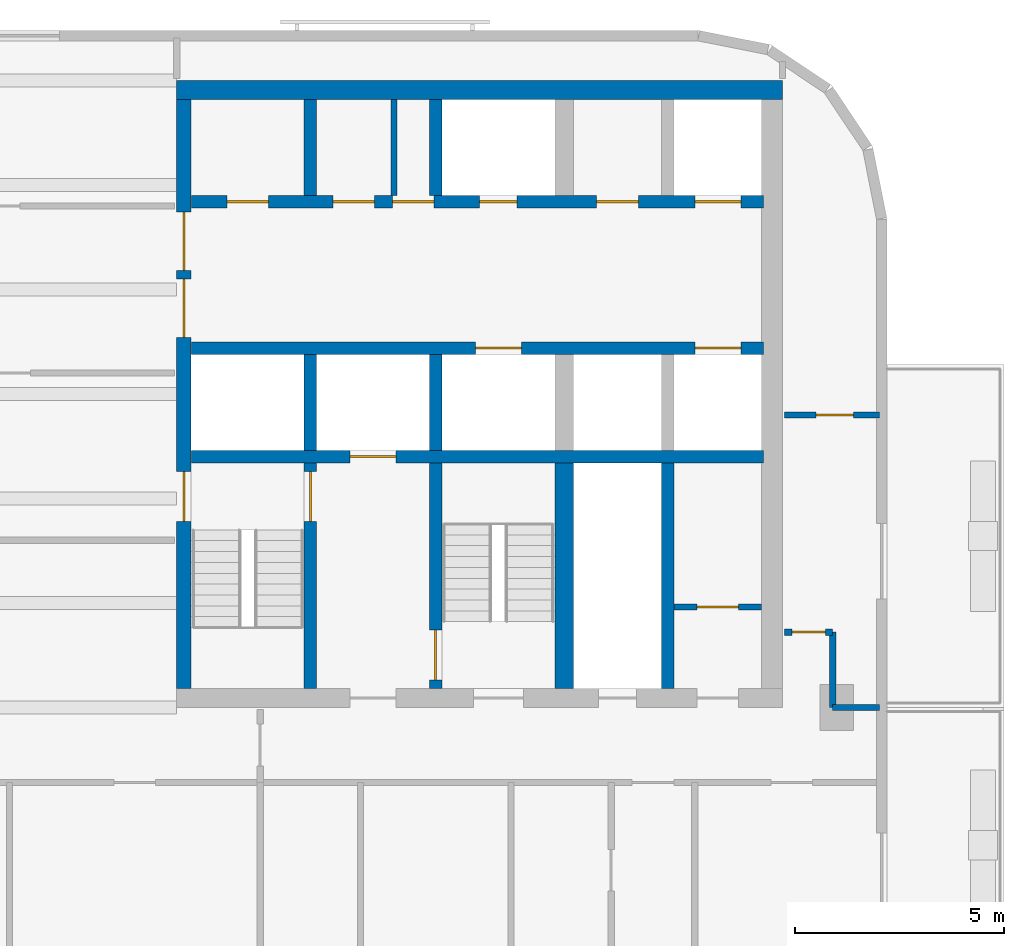
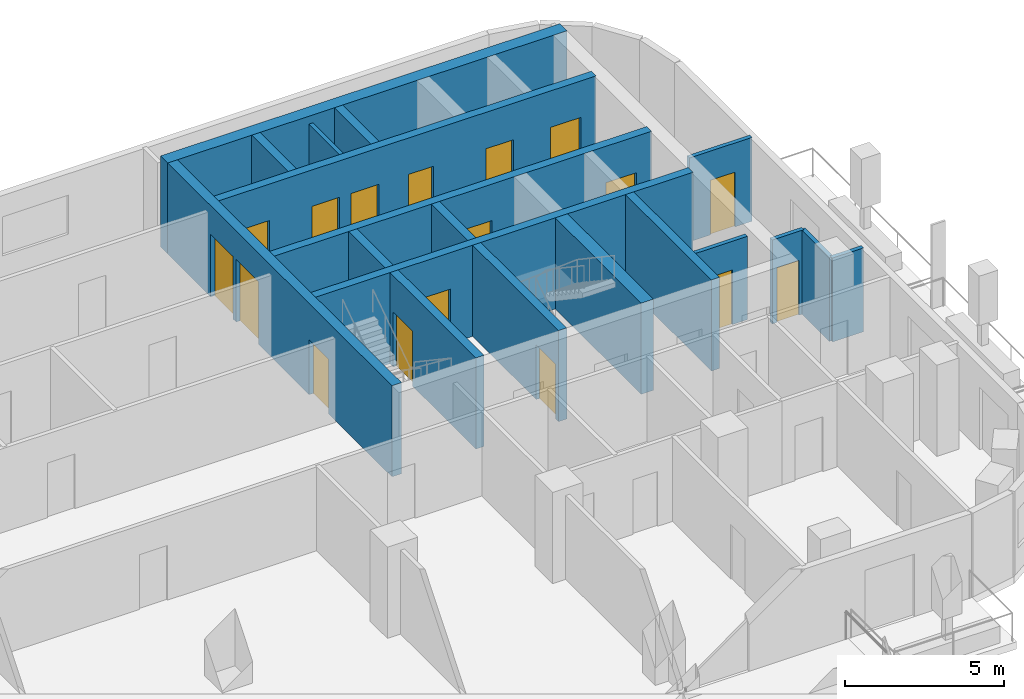
# One storey, part 6 of 11: 19 walls, 17 doors, 17 openings.
"""IFC4 building model written with IfcOpenShell, lengths in metres."""

from ifc_helpers import new_model, si_unit, direction, frame, frame_2d, origin, place, context, subcontext, project, spatial, rectangle, extrude, material, layer, layer_set, type_object, element, fill, save


model = new_model("IFC4")

# Units and contexts
model_context = context("Model", 3, precision=1e-05, world=origin(), true_north=direction((0.0, 1.0)))
body_context = subcontext(model_context, "Body", "Model", "MODEL_VIEW")
ifc_project = project(units=[si_unit("LENGTHUNIT", "METRE"), si_unit("AREAUNIT", "SQUARE_METRE"), si_unit("VOLUMEUNIT", "CUBIC_METRE"), si_unit("PLANEANGLEUNIT", "RADIAN"), si_unit("MASSUNIT", "GRAM", prefix="KILO")], contexts=[model_context])

# Site, building, storey
site_placement = place(None, origin())
site = spatial("IfcSite", under=ifc_project, at=site_placement, CompositionType="ELEMENT")
building_placement = place(site_placement, origin())
building = spatial("IfcBuilding", under=site, at=building_placement, Name="Torana Hotel and Residences", CompositionType="ELEMENT")
storey_placement = place(building_placement, frame((0.0, 0.0, 218.60009765625)))
storey = spatial("IfcBuildingStorey", under=building, at=storey_placement, Name="L57", CompositionType="ELEMENT", Elevation=218.60009765625)

# Wall, openings, doors
ifc_material_1 = material(Name="Concrete C70/85", Category="concrete")
ifc_layer_1 = layer(ifc_material_1, 0.300048828125)
ifc_layer_set_1 = layer_set([ifc_layer_1], Name="CORE WALL 300 C70/85")
wall_type_1 = type_object("IfcWallType", Name="CORE WALL 300 C70/85", PredefinedType="SHEAR", material=ifc_layer_set_1)
wall_1_placement = place(storey_placement, frame((10.35009765625, -2.89990234375, 0.0), z_axis=(0.0, 0.0, 1.0), x_axis=(1.0, 0.0, 0.0)))
wall_1 = element("IfcWall", 1, at=wall_1_placement, inside=storey, type_object=wall_type_1, Name="Core wall E row-N", PredefinedType="SHEAR", context=body_context, shape_type="SweptSolid", body=[
    extrude(rectangle(XDim=13.699951171875, YDim=0.300048828125, at=frame_2d((6.85009765625, 0.0))), origin(), (0.0, 0.0, 1.0), 3.5),
])
opening_1_placement = place(wall_1_placement, frame((12.050048828125, 0.0, 0.0)))
opening_1 = element("IfcOpeningElement", 2, at=opening_1_placement, cuts=wall_1, Name="Opening LD", PredefinedType="OPENING", context=body_context, shape_type="SweptSolid", body=[
    extrude(rectangle(XDim=1.10009765625, YDim=2.10009765625, at=frame_2d((0.550048828125, 1.050048828125))), frame((0.0, 0.159912109375, 0.0), z_axis=(0.0, -1.0, 0.0), x_axis=(1.0, 0.0, 0.0)), (0.0, 0.0, 1.0), 0.320068359375),
])
opening_2_placement = place(wall_1_placement, frame((6.89990234375, 0.0, 0.0)))
opening_2 = element("IfcOpeningElement", 3, at=opening_2_placement, cuts=wall_1, Name="Opening L57-22", PredefinedType="OPENING", context=body_context, shape_type="SweptSolid", body=[
    extrude(rectangle(XDim=0.89990234375, YDim=2.10009765625, at=frame_2d((0.449951171875, 1.050048828125))), frame((0.0, 0.159912109375, 0.0), z_axis=(0.0, -1.0, 0.0), x_axis=(1.0, 0.0, 0.0)), (0.0, 0.0, 1.0), 0.320068359375),
])
opening_3_placement = place(wall_1_placement, frame((0.85009765625, 0.0, 0.0)))
opening_3 = element("IfcOpeningElement", 4, at=opening_3_placement, cuts=wall_1, Name="Opening L57-23", PredefinedType="OPENING", context=body_context, shape_type="SweptSolid", body=[
    extrude(rectangle(XDim=1.0, YDim=2.10009765625, at=frame_2d((0.5, 1.050048828125))), frame((0.0, 0.159912109375, 0.0), z_axis=(0.0, -1.0, 0.0), x_axis=(1.0, 0.0, 0.0)), (0.0, 0.0, 1.0), 0.320068359375),
])
opening_4_placement = place(wall_1_placement, frame((3.387451171875, 0.0, 0.0)))
opening_4 = element("IfcOpeningElement", 5, at=opening_4_placement, cuts=wall_1, Name="Opening L57-24", PredefinedType="OPENING", context=body_context, shape_type="SweptSolid", body=[
    extrude(rectangle(XDim=1.0, YDim=2.10009765625, at=frame_2d((0.5, 1.050048828125))), frame((0.0, 0.159912109375, 0.0), z_axis=(0.0, -1.0, 0.0), x_axis=(1.0, 0.0, 0.0)), (0.0, 0.0, 1.0), 0.320068359375),
])
opening_5_placement = place(wall_1_placement, frame((4.8125, 0.0, 0.0)))
opening_5 = element("IfcOpeningElement", 6, at=opening_5_placement, cuts=wall_1, Name="Opening L57-25", PredefinedType="OPENING", context=body_context, shape_type="SweptSolid", body=[
    extrude(rectangle(XDim=1.0, YDim=2.10009765625, at=frame_2d((0.5, 1.050048828125))), frame((0.0, 0.159912109375, 0.0), z_axis=(0.0, -1.0, 0.0), x_axis=(1.0, 0.0, 0.0)), (0.0, 0.0, 1.0), 0.320068359375),
])
opening_6_placement = place(wall_1_placement, frame((9.699951171875, 0.0, 0.0)))
opening_6 = element("IfcOpeningElement", 7, at=opening_6_placement, cuts=wall_1, Name="Opening L57-26", PredefinedType="OPENING", context=body_context, shape_type="SweptSolid", body=[
    extrude(rectangle(XDim=1.0, YDim=2.10009765625, at=frame_2d((0.5, 1.050048828125))), frame((0.0, 0.159912109375, 0.0), z_axis=(0.0, -1.0, 0.0), x_axis=(1.0, 0.0, 0.0)), (0.0, 0.0, 1.0), 0.320068359375),
])
ifc_material_2 = material(Name="Steel S235", Category="steel")
door_type_1 = type_object("IfcDoorType", Name="CORE ROOM FIRE DOOR D14 1000x2100", OperationType="SINGLE_SWING_LEFT", PredefinedType="DOOR", material=ifc_material_2)
door_1_placement = place(opening_3_placement, origin())
door_1 = element("IfcDoor", 8, at=door_1_placement, inside=storey, type_object=door_type_1, Name="N0 door L57", OperationType="SINGLE_SWING_RIGHT", OverallHeight=2.10009765625, OverallWidth=1.0, PredefinedType="DOOR", context=body_context, shape_type="SweptSolid", body=[
    extrude(rectangle(XDim=1.0, YDim=2.10009765625, at=frame_2d((0.5, 1.050048828125))), frame((0.0, 0.02490234375, 0.0), z_axis=(0.0, -1.0, 0.0), x_axis=(1.0, 0.0, 0.0)), (0.0, 0.0, 1.0), 0.050048828125),
])
fill(opening_3, door_1)
door_2_placement = place(opening_4_placement, origin())
door_2 = element("IfcDoor", 9, at=door_2_placement, inside=storey, type_object=door_type_1, Name="N1A door L57", OperationType="SINGLE_SWING_RIGHT", OverallHeight=2.10009765625, OverallWidth=1.0, PredefinedType="DOOR", context=body_context, shape_type="SweptSolid", body=[
    extrude(rectangle(XDim=1.0, YDim=2.10009765625, at=frame_2d((0.5, 1.050048828125))), frame((0.0, 0.02490234375, 0.0), z_axis=(0.0, -1.0, 0.0), x_axis=(1.0, 0.0, 0.0)), (0.0, 0.0, 1.0), 0.050048828125),
])
fill(opening_4, door_2)
door_3_placement = place(opening_5_placement, origin())
door_3 = element("IfcDoor", 10, at=door_3_placement, inside=storey, type_object=door_type_1, Name="N1B door L57", OperationType="SINGLE_SWING_LEFT", OverallHeight=2.10009765625, OverallWidth=1.0, PredefinedType="DOOR", context=body_context, shape_type="SweptSolid", body=[
    extrude(rectangle(XDim=1.0, YDim=2.10009765625, at=frame_2d((0.5, 1.050048828125))), frame((0.0, 0.02490234375, 0.0), z_axis=(0.0, -1.0, 0.0), x_axis=(1.0, 0.0, 0.0)), (0.0, 0.0, 1.0), 0.050048828125),
])
fill(opening_5, door_3)
door_4_placement = place(opening_6_placement, origin())
door_4 = element("IfcDoor", 11, at=door_4_placement, inside=storey, type_object=door_type_1, Name="Freed-S2 door L57", OperationType="SINGLE_SWING_RIGHT", OverallHeight=2.10009765625, OverallWidth=1.0, PredefinedType="DOOR", context=body_context, shape_type="SweptSolid", body=[
    extrude(rectangle(XDim=1.0, YDim=2.10009765625, at=frame_2d((0.5, 1.050048828125))), frame((0.0, 0.02490234375, 0.0), z_axis=(0.0, -1.0, 0.0), x_axis=(1.0, 0.0, 0.0)), (0.0, 0.0, 1.0), 0.050048828125),
])
fill(opening_6, door_4)
ifc_material_3 = material(Name="Stainless steel 316", Category="steel")
door_type_2 = type_object("IfcDoorType", Name="LIFT LANDING DOOR LD 1100x2100", OperationType="DOUBLE_DOOR_SLIDING", PredefinedType="USERDEFINED", material=ifc_material_3)
door_5_placement = place(opening_1_placement, origin())
door_5 = element("IfcDoor", 12, at=door_5_placement, inside=storey, type_object=door_type_2, Name="Lift landing door M3 L57", ObjectType="LIFT LANDING DOOR", OperationType="DOUBLE_DOOR_SLIDING", OverallHeight=2.10009765625, OverallWidth=1.10009765625, PredefinedType="USERDEFINED", context=body_context, shape_type="SweptSolid", body=[
    extrude(rectangle(XDim=1.10009765625, YDim=2.10009765625, at=frame_2d((0.550048828125, 1.050048828125))), frame((0.0, 0.02490234375, 0.0), z_axis=(0.0, -1.0, 0.0), x_axis=(1.0, 0.0, 0.0)), (0.0, 0.0, 1.0), 0.050048828125),
])
fill(opening_1, door_5)
ifc_material_4 = material(Name="Steel S235", Category="steel")
door_type_3 = type_object("IfcDoorType", Name="RISER ACCESS DOOR D5 900x2100", OperationType="SINGLE_SWING_LEFT", PredefinedType="DOOR", material=ifc_material_4)
door_6_placement = place(opening_2_placement, origin())
door_6 = element("IfcDoor", 13, at=door_6_placement, inside=storey, type_object=door_type_3, Name="N2 door L57", OperationType="SINGLE_SWING_RIGHT", OverallHeight=2.10009765625, OverallWidth=0.89990234375, PredefinedType="DOOR", context=body_context, shape_type="SweptSolid", body=[
    extrude(rectangle(XDim=0.89990234375, YDim=2.10009765625, at=frame_2d((0.449951171875, 1.050048828125))), frame((0.0, 0.02490234375, 0.0), z_axis=(0.0, -1.0, 0.0), x_axis=(1.0, 0.0, 0.0)), (0.0, 0.0, 1.0), 0.050048828125),
])
fill(opening_2, door_6)

wall_2_placement = place(storey_placement, frame((10.35009765625, -6.39990234375, 0.0), z_axis=(0.0, 0.0, 1.0), x_axis=(1.0, 0.0, 0.0)))
wall_2 = element("IfcWall", 14, at=wall_2_placement, inside=storey, type_object=wall_type_1, Name="Core wall E row-S", PredefinedType="SHEAR", context=body_context, shape_type="SweptSolid", body=[
    extrude(rectangle(XDim=13.699951171875, YDim=0.300048828125, at=frame_2d((6.85009765625, 0.0))), origin(), (0.0, 0.0, 1.0), 3.5),
])
opening_7_placement = place(wall_2_placement, frame((12.050048828125, 0.0, 0.0)))
opening_7 = element("IfcOpeningElement", 15, at=opening_7_placement, cuts=wall_2, Name="Opening LD", PredefinedType="OPENING", context=body_context, shape_type="SweptSolid", body=[
    extrude(rectangle(XDim=1.10009765625, YDim=2.10009765625, at=frame_2d((0.550048828125, 1.050048828125))), frame((0.0, 0.159912109375, 0.0), z_axis=(0.0, -1.0, 0.0), x_axis=(1.0, 0.0, 0.0)), (0.0, 0.0, 1.0), 0.320068359375),
])
opening_8_placement = place(wall_2_placement, frame((6.800048828125, 0.0, 0.0)))
opening_8 = element("IfcOpeningElement", 16, at=opening_8_placement, cuts=wall_2, Name="Opening LD", PredefinedType="OPENING", context=body_context, shape_type="SweptSolid", body=[
    extrude(rectangle(XDim=1.10009765625, YDim=2.10009765625, at=frame_2d((0.550048828125, 1.050048828125))), frame((0.0, 0.159912109375, 0.0), z_axis=(0.0, -1.0, 0.0), x_axis=(1.0, 0.0, 0.0)), (0.0, 0.0, 1.0), 0.320068359375),
])
door_7_placement = place(opening_7_placement, origin())
door_7 = element("IfcDoor", 17, at=door_7_placement, inside=storey, type_object=door_type_2, Name="Lift landing door M4 L57", ObjectType="LIFT LANDING DOOR", OperationType="DOUBLE_DOOR_SLIDING", OverallHeight=2.10009765625, OverallWidth=1.10009765625, PredefinedType="USERDEFINED", context=body_context, shape_type="SweptSolid", body=[
    extrude(rectangle(XDim=1.10009765625, YDim=2.10009765625, at=frame_2d((0.550048828125, 1.050048828125))), frame((0.0, 0.02490234375, 0.0), z_axis=(0.0, -1.0, 0.0), x_axis=(1.0, 0.0, 0.0)), (0.0, 0.0, 1.0), 0.050048828125),
])
fill(opening_7, door_7)
door_8_placement = place(opening_8_placement, origin())
door_8 = element("IfcDoor", 18, at=door_8_placement, inside=storey, type_object=door_type_2, Name="Lift landing door SV2 L57", ObjectType="LIFT LANDING DOOR", OperationType="DOUBLE_DOOR_SLIDING", OverallHeight=2.10009765625, OverallWidth=1.10009765625, PredefinedType="USERDEFINED", context=body_context, shape_type="SweptSolid", body=[
    extrude(rectangle(XDim=1.10009765625, YDim=2.10009765625, at=frame_2d((0.550048828125, 1.050048828125))), frame((0.0, 0.02490234375, 0.0), z_axis=(0.0, -1.0, 0.0), x_axis=(1.0, 0.0, 0.0)), (0.0, 0.0, 1.0), 0.050048828125),
])
fill(opening_8, door_8)

# Wall, opening, door
wall_3_placement = place(storey_placement, frame((10.35009765625, -9.0, 0.0), z_axis=(0.0, 0.0, 1.0), x_axis=(1.0, 0.0, 0.0)))
wall_3 = element("IfcWall", 19, at=wall_3_placement, inside=storey, type_object=wall_type_1, Name="Core wall E band", PredefinedType="SHEAR", context=body_context, shape_type="SweptSolid", body=[
    extrude(rectangle(XDim=13.699951171875, YDim=0.300048828125, at=frame_2d((6.85009765625, 0.0))), origin(), (0.0, 0.0, 1.0), 3.5),
])
opening_9_placement = place(wall_3_placement, frame((3.800048828125, 0.0, 0.0)))
opening_9 = element("IfcOpeningElement", 20, at=opening_9_placement, cuts=wall_3, Name="Opening LD", PredefinedType="OPENING", context=body_context, shape_type="SweptSolid", body=[
    extrude(rectangle(XDim=1.10009765625, YDim=2.10009765625, at=frame_2d((0.550048828125, 1.050048828125))), frame((0.0, 0.159912109375, 0.0), z_axis=(0.0, -1.0, 0.0), x_axis=(1.0, 0.0, 0.0)), (0.0, 0.0, 1.0), 0.320068359375),
])
door_9_placement = place(opening_9_placement, origin())
door_9 = element("IfcDoor", 21, at=door_9_placement, inside=storey, type_object=door_type_2, Name="Lift landing door FF2 L57", ObjectType="LIFT LANDING DOOR", OperationType="DOUBLE_DOOR_SLIDING", OverallHeight=2.10009765625, OverallWidth=1.10009765625, PredefinedType="USERDEFINED", context=body_context, shape_type="SweptSolid", body=[
    extrude(rectangle(XDim=1.10009765625, YDim=2.10009765625, at=frame_2d((0.550048828125, 1.050048828125))), frame((0.0, 0.02490234375, 0.0), z_axis=(0.0, -1.0, 0.0), x_axis=(1.0, 0.0, 0.0)), (0.0, 0.0, 1.0), 0.050048828125),
])
fill(opening_9, door_9)

# Walls
for number, where, z_axis, x_axis, name in (
    (22, (13.199951171875, -2.75, 0.0), (0.0, 0.0, 1.0), (0.0, 1.0, 0.0), "Core wall E x3.05-N"),
    (23, (13.199951171875, -8.85009765625, 0.0), (0.0, 0.0, 1.0), (0.0, 1.0, 0.0), "Core wall E x3.05-S"),
):
    element("IfcWall", number, at=place(storey_placement, frame(where, z_axis=z_axis, x_axis=x_axis)), inside=storey, type_object=wall_type_1, Name=name, PredefinedType="SHEAR", context=body_context, shape_type="SweptSolid", body=[
        extrude(rectangle(XDim=2.300048828125, YDim=0.300048828125, at=frame_2d((1.14990234375, 0.0))), origin(), (0.0, 0.0, 1.0), 3.5),
    ])

# Wall, opening, door
wall_4_placement = place(storey_placement, frame((13.199951171875, -14.550048828125, 0.0), z_axis=(0.0, 0.0, 1.0), x_axis=(0.0, 1.0, 0.0)))
wall_4 = element("IfcWall", 24, at=wall_4_placement, inside=storey, type_object=wall_type_1, Name="Core wall E x3.05-band", PredefinedType="SHEAR", context=body_context, shape_type="SweptSolid", body=[
    extrude(rectangle(XDim=5.400146484375, YDim=0.300048828125, at=frame_2d((2.7001953125, 0.0))), origin(), (0.0, 0.0, 1.0), 3.5),
])
opening_10_placement = place(wall_4_placement, frame((4.0, 0.0, 0.0)))
opening_10 = element("IfcOpeningElement", 25, at=opening_10_placement, cuts=wall_4, Name="Opening L57-27", PredefinedType="OPENING", context=body_context, shape_type="SweptSolid", body=[
    extrude(rectangle(XDim=1.199951171875, YDim=2.10009765625, at=frame_2d((0.60009765625, 1.050048828125))), frame((0.0, 0.159912109375, 0.0), z_axis=(0.0, -1.0, 0.0), x_axis=(1.0, 0.0, 0.0)), (0.0, 0.0, 1.0), 0.320068359375),
])
ifc_material_5 = material(Name="Steel S235", Category="steel")
door_type_4 = type_object("IfcDoorType", Name="STAIR FIRE DOOR D3 1200x2100", OperationType="SINGLE_SWING_LEFT", PredefinedType="DOOR", material=ifc_material_5)
door_10_placement = place(opening_10_placement, origin())
door_10 = element("IfcDoor", 26, at=door_10_placement, inside=storey, type_object=door_type_4, Name="Stair-A-lobby door L57", OperationType="SINGLE_SWING_LEFT", OverallHeight=2.10009765625, OverallWidth=1.199951171875, PredefinedType="DOOR", context=body_context, shape_type="SweptSolid", body=[
    extrude(rectangle(XDim=1.199951171875, YDim=2.10009765625, at=frame_2d((0.60009765625, 1.050048828125))), frame((0.0, 0.02490234375, 0.0), z_axis=(0.0, -1.0, 0.0), x_axis=(1.0, 0.0, 0.0)), (0.0, 0.0, 1.0), 0.050048828125),
])
fill(opening_10, door_10)

# Walls
for number, where, z_axis, x_axis, name in (
    (27, (16.199951171875, -2.75, 0.0), (0.0, 0.0, 1.0), (0.0, 1.0, 0.0), "Core wall E x6.05-N"),
    (28, (16.199951171875, -8.85009765625, 0.0), (0.0, 0.0, 1.0), (0.0, 1.0, 0.0), "Core wall E x6.05-S"),
):
    element("IfcWall", number, at=place(storey_placement, frame(where, z_axis=z_axis, x_axis=x_axis)), inside=storey, type_object=wall_type_1, Name=name, PredefinedType="SHEAR", context=body_context, shape_type="SweptSolid", body=[
        extrude(rectangle(XDim=2.300048828125, YDim=0.300048828125, at=frame_2d((1.14990234375, 0.0))), origin(), (0.0, 0.0, 1.0), 3.5),
    ])

# Wall, opening, door
wall_5_placement = place(storey_placement, frame((16.199951171875, -14.550048828125, 0.0), z_axis=(0.0, 0.0, 1.0), x_axis=(0.0, 1.0, 0.0)))
wall_5 = element("IfcWall", 29, at=wall_5_placement, inside=storey, type_object=wall_type_1, Name="Core wall E x6.05-band", PredefinedType="SHEAR", context=body_context, shape_type="SweptSolid", body=[
    extrude(rectangle(XDim=5.400146484375, YDim=0.300048828125, at=frame_2d((2.7001953125, 0.0))), origin(), (0.0, 0.0, 1.0), 3.5),
])
opening_11_placement = place(wall_5_placement, frame((0.199951171875, 0.0, 0.0)))
opening_11 = element("IfcOpeningElement", 30, at=opening_11_placement, cuts=wall_5, Name="Opening L57-28", PredefinedType="OPENING", context=body_context, shape_type="SweptSolid", body=[
    extrude(rectangle(XDim=1.199951171875, YDim=2.10009765625, at=frame_2d((0.60009765625, 1.050048828125))), frame((0.0, 0.159912109375, 0.0), z_axis=(0.0, -1.0, 0.0), x_axis=(1.0, 0.0, 0.0)), (0.0, 0.0, 1.0), 0.320068359375),
])
door_11_placement = place(opening_11_placement, frame((0.60009765625, 0.0, 0.0), z_axis=(0.0, 0.0, 1.0), x_axis=(-1.0, 0.0, 0.0)))
door_11 = element("IfcDoor", 31, at=door_11_placement, inside=storey, type_object=door_type_4, Name="Stair-B-lobby door L57", OperationType="SINGLE_SWING_LEFT", OverallHeight=2.10009765625, OverallWidth=1.199951171875, PredefinedType="DOOR", context=body_context, shape_type="SweptSolid", body=[
    extrude(rectangle(XDim=1.199951171875, YDim=2.10009765625, at=frame_2d((0.0, 1.050048828125))), frame((0.0, -0.02490234375, 0.0), z_axis=(0.0, 1.0, 0.0), x_axis=(-1.0, 0.0, 0.0)), (0.0, 0.0, 1.0), 0.050048828125),
])
fill(opening_11, door_11)

# Wall
wall_6_placement = place(storey_placement, frame((21.75, -14.550048828125, 0.0), z_axis=(0.0, 0.0, 1.0), x_axis=(0.0, 1.0, 0.0)))
element("IfcWall", 32, at=wall_6_placement, inside=storey, type_object=wall_type_1, Name="Core wall E mm-band", PredefinedType="SHEAR", context=body_context, shape_type="SweptSolid", body=[
    extrude(rectangle(XDim=5.400146484375, YDim=0.300048828125, at=frame_2d((2.7001953125, 0.0))), origin(), (0.0, 0.0, 1.0), 3.5),
])

# Wall, openings, doors
ifc_material_6 = material(Name="Concrete C70/85", Category="concrete")
ifc_layer_2 = layer(ifc_material_6, 0.35009765625)
ifc_layer_set_2 = layer_set([ifc_layer_2], Name="CORE WALL 350 C70/85")
wall_type_2 = type_object("IfcWallType", Name="CORE WALL 350 C70/85", PredefinedType="SHEAR", material=ifc_layer_set_2)
wall_7_placement = place(storey_placement, frame((10.175048828125, -14.550048828125, 0.0), z_axis=(0.0, 0.0, 1.0), x_axis=(0.0, 1.0, 0.0)))
wall_7 = element("IfcWall", 33, at=wall_7_placement, inside=storey, type_object=wall_type_2, Name="Core wall E arch", PredefinedType="SHEAR", context=body_context, shape_type="SweptSolid", body=[
    extrude(rectangle(XDim=14.10009765625, YDim=0.35009765625, at=frame_2d((7.050048828125, 0.0))), origin(), (0.0, 0.0, 1.0), 3.5),
])
opening_12_placement = place(wall_7_placement, frame((8.39990234375, 0.0, 0.0)))
opening_12 = element("IfcOpeningElement", 34, at=opening_12_placement, cuts=wall_7, Name="Opening L57-15", PredefinedType="OPENING", context=body_context, shape_type="SweptSolid", body=[
    extrude(rectangle(XDim=1.39990234375, YDim=2.39990234375, at=frame_2d((0.699951171875, 1.199951171875))), frame((0.0, 0.18505859375, 0.0), z_axis=(0.0, -1.0, 0.0), x_axis=(1.0, 0.0, 0.0)), (0.0, 0.0, 1.0), 0.3701171875),
])
opening_13_placement = place(wall_7_placement, frame((10.0, 0.0, 0.0)))
opening_13 = element("IfcOpeningElement", 35, at=opening_13_placement, cuts=wall_7, Name="Opening L57-16", PredefinedType="OPENING", context=body_context, shape_type="SweptSolid", body=[
    extrude(rectangle(XDim=1.39990234375, YDim=2.39990234375, at=frame_2d((0.699951171875, 1.199951171875))), frame((0.0, 0.18505859375, 0.0), z_axis=(0.0, -1.0, 0.0), x_axis=(1.0, 0.0, 0.0)), (0.0, 0.0, 1.0), 0.3701171875),
])
opening_14_placement = place(wall_7_placement, frame((4.0, 0.0, 0.0)))
opening_14 = element("IfcOpeningElement", 36, at=opening_14_placement, cuts=wall_7, Name="Opening L57-17", PredefinedType="OPENING", context=body_context, shape_type="SweptSolid", body=[
    extrude(rectangle(XDim=1.199951171875, YDim=2.10009765625, at=frame_2d((0.60009765625, 1.050048828125))), frame((0.0, 0.18505859375, 0.0), z_axis=(0.0, -1.0, 0.0), x_axis=(1.0, 0.0, 0.0)), (0.0, 0.0, 1.0), 0.3701171875),
])
ifc_material_7 = material(Name="Steel S235", Category="steel")
door_type_5 = type_object("IfcDoorType", Name="LOBBY FIRE DOOR D4 1400x2400", OperationType="DOUBLE_DOOR_SINGLE_SWING", PredefinedType="DOOR", material=ifc_material_7)
door_12_placement = place(opening_12_placement, origin())
door_12 = element("IfcDoor", 37, at=door_12_placement, inside=storey, type_object=door_type_5, Name="Lobby-1 door L57", OperationType="DOUBLE_DOOR_SINGLE_SWING", OverallHeight=2.39990234375, OverallWidth=1.39990234375, PredefinedType="DOOR", context=body_context, shape_type="SweptSolid", body=[
    extrude(rectangle(XDim=1.39990234375, YDim=2.39990234375, at=frame_2d((0.699951171875, 1.199951171875))), frame((0.0, 0.02490234375, 0.0), z_axis=(0.0, -1.0, 0.0), x_axis=(1.0, 0.0, 0.0)), (0.0, 0.0, 1.0), 0.050048828125),
])
fill(opening_12, door_12)
door_13_placement = place(opening_13_placement, origin())
door_13 = element("IfcDoor", 38, at=door_13_placement, inside=storey, type_object=door_type_5, Name="Lobby-2 door L57", OperationType="DOUBLE_DOOR_SINGLE_SWING", OverallHeight=2.39990234375, OverallWidth=1.39990234375, PredefinedType="DOOR", context=body_context, shape_type="SweptSolid", body=[
    extrude(rectangle(XDim=1.39990234375, YDim=2.39990234375, at=frame_2d((0.699951171875, 1.199951171875))), frame((0.0, 0.02490234375, 0.0), z_axis=(0.0, -1.0, 0.0), x_axis=(1.0, 0.0, 0.0)), (0.0, 0.0, 1.0), 0.050048828125),
])
fill(opening_13, door_13)
door_14_placement = place(opening_14_placement, frame((0.60009765625, 0.0, 0.0), z_axis=(0.0, 0.0, 1.0), x_axis=(-1.0, 0.0, 0.0)))
door_14 = element("IfcDoor", 39, at=door_14_placement, inside=storey, type_object=door_type_4, Name="Stair-A door L57", OperationType="SINGLE_SWING_RIGHT", OverallHeight=2.10009765625, OverallWidth=1.199951171875, PredefinedType="DOOR", context=body_context, shape_type="SweptSolid", body=[
    extrude(rectangle(XDim=1.199951171875, YDim=2.10009765625, at=frame_2d((0.0, 1.050048828125))), frame((0.0, -0.02490234375, 0.0), z_axis=(0.0, 1.0, 0.0), x_axis=(-1.0, 0.0, 0.0)), (0.0, 0.0, 1.0), 0.050048828125),
])
fill(opening_14, door_14)

# Walls
ifc_material_8 = material(Name="Concrete C70/85", Category="concrete")
ifc_layer_3 = layer(ifc_material_8, 0.449951171875)
ifc_layer_set_3 = layer_set([ifc_layer_3], Name="CORE WALL 450 C70/85")
wall_type_3 = type_object("IfcWallType", Name="CORE WALL 450 C70/85", PredefinedType="SHEAR", material=ifc_layer_set_3)
wall_8_placement = place(storey_placement, frame((10.0, -0.22509765625, 0.0), z_axis=(0.0, 0.0, 1.0), x_axis=(1.0, 0.0, 0.0)))
element("IfcWall", 40, at=wall_8_placement, inside=storey, type_object=wall_type_3, Name="Core wall E rear", PredefinedType="SHEAR", context=body_context, shape_type="SweptSolid", body=[
    extrude(rectangle(XDim=14.5, YDim=0.449951171875, at=frame_2d((7.25, 0.0))), origin(), (0.0, 0.0, 1.0), 3.5),
])
wall_9_placement = place(storey_placement, frame((19.27490234375, -14.550048828125, 0.0), z_axis=(0.0, 0.0, 1.0), x_axis=(0.0, 1.0, 0.0)))
element("IfcWall", 41, at=wall_9_placement, inside=storey, type_object=wall_type_3, Name="Core wall E hm-band", PredefinedType="SHEAR", context=body_context, shape_type="SweptSolid", body=[
    extrude(rectangle(XDim=5.400146484375, YDim=0.449951171875, at=frame_2d((2.7001953125, 0.0))), origin(), (0.0, 0.0, 1.0), 3.5),
])
ifc_material_9 = material(Name="Gypsum plaster")
ifc_layer_4 = layer(ifc_material_9, 0.014892578125, Name="Plaster", Category="finish")
ifc_material_10 = material(Name="Concrete blockwork", Category="masonry")
ifc_layer_5 = layer(ifc_material_10, 0.1201171875, Name="Blockwork", Category="structure")
ifc_layer_6 = layer(ifc_material_9, 0.014892578125, Name="Plaster", Category="finish")
ifc_layer_set_4 = layer_set([ifc_layer_4, ifc_layer_5, ifc_layer_6], Name="FIRE PARTITION 150 BLOCKWORK")
wall_type_4 = type_object("IfcWallType", Name="FIRE PARTITION 150 BLOCKWORK", PredefinedType="PARTITIONING", material=ifc_layer_set_4)
wall_10_placement = place(storey_placement, frame((15.199951171875, -2.75, 0.0), z_axis=(0.0, 0.0, 1.0), x_axis=(0.0, 1.0, 0.0)))
element("IfcWall", 42, at=wall_10_placement, inside=storey, type_object=wall_type_4, Name="Core partition L57", PredefinedType="PARTITIONING", context=body_context, shape_type="SweptSolid", body=[
    extrude(rectangle(XDim=2.300048828125, YDim=0.14990234375, at=frame_2d((1.14990234375, 0.0))), origin(), (0.0, 0.0, 1.0), 3.199951171875),
])

# Wall, opening, door
wall_11_placement = place(storey_placement, frame((21.89990234375, -12.60009765625, 0.0), z_axis=(0.0, 0.0, 1.0), x_axis=(1.0, 0.0, 0.0)))
wall_11 = element("IfcWall", 43, at=wall_11_placement, inside=storey, type_object=wall_type_4, Name="Core partition L57", PredefinedType="PARTITIONING", context=body_context, shape_type="SweptSolid", body=[
    extrude(rectangle(XDim=2.10009765625, YDim=0.14990234375, at=frame_2d((1.050048828125, 0.0))), origin(), (0.0, 0.0, 1.0), 3.199951171875),
])
opening_15_placement = place(wall_11_placement, frame((0.550048828125, 0.0, 0.0)))
opening_15 = element("IfcOpeningElement", 44, at=opening_15_placement, cuts=wall_11, Name="Opening L57-30", PredefinedType="OPENING", context=body_context, shape_type="SweptSolid", body=[
    extrude(rectangle(XDim=1.0, YDim=2.10009765625, at=frame_2d((0.5, 1.050048828125))), frame((0.0, 0.0849609375, 0.0), z_axis=(0.0, -1.0, 0.0), x_axis=(1.0, 0.0, 0.0)), (0.0, 0.0, 1.0), 0.169921875),
])
door_15_placement = place(opening_15_placement, origin())
door_15 = element("IfcDoor", 45, at=door_15_placement, inside=storey, type_object=door_type_1, Name="Plant room door L57", OperationType="SINGLE_SWING_RIGHT", OverallHeight=2.10009765625, OverallWidth=1.0, PredefinedType="DOOR", context=body_context, shape_type="SweptSolid", body=[
    extrude(rectangle(XDim=1.0, YDim=2.10009765625, at=frame_2d((0.5, 1.050048828125))), frame((0.0, 0.02490234375, 0.0), z_axis=(0.0, -1.0, 0.0), x_axis=(1.0, 0.0, 0.0)), (0.0, 0.0, 1.0), 0.050048828125),
])
fill(opening_15, door_15)

# Walls
wall_12_placement = place(storey_placement, frame((25.699951171875, -15.0, 0.0), z_axis=(0.0, 0.0, 1.0), x_axis=(0.0, 1.0, 0.0)))
element("IfcWall", 46, at=wall_12_placement, inside=storey, type_object=wall_type_4, Name="Partition L57", PredefinedType="PARTITIONING", context=body_context, shape_type="SweptSolid", body=[
    extrude(rectangle(XDim=1.800048828125, YDim=0.14990234375, at=frame_2d((0.89990234375, 0.0))), origin(), (0.0, 0.0, 1.0), 3.219970703125),
])
wall_13_placement = place(storey_placement, frame((25.699951171875, -15.0, 0.0), z_axis=(0.0, 0.0, 1.0), x_axis=(1.0, 0.0, 0.0)))
element("IfcWall", 47, at=wall_13_placement, inside=storey, type_object=wall_type_4, Name="Partition L57", PredefinedType="PARTITIONING", context=body_context, shape_type="SweptSolid", body=[
    extrude(rectangle(XDim=1.1201171875, YDim=0.14990234375, at=frame_2d((0.56005859375, 0.0))), origin(), (0.0, 0.0, 1.0), 3.219970703125),
])

# Wall, opening, door
wall_14_placement = place(storey_placement, frame((24.550048828125, -13.199951171875, 0.0), z_axis=(0.0, 0.0, 1.0), x_axis=(1.0, 0.0, 0.0)))
wall_14 = element("IfcWall", 48, at=wall_14_placement, inside=storey, type_object=wall_type_4, Name="Partition L57", PredefinedType="PARTITIONING", context=body_context, shape_type="SweptSolid", body=[
    extrude(rectangle(XDim=1.14990234375, YDim=0.14990234375, at=frame_2d((0.574951171875, 0.0))), origin(), (0.0, 0.0, 1.0), 3.219970703125),
])
opening_16_placement = place(wall_14_placement, frame((0.175048828125, 0.0, 0.0)))
opening_16 = element("IfcOpeningElement", 49, at=opening_16_placement, cuts=wall_14, Name="Opening L57-39", PredefinedType="OPENING", context=body_context, shape_type="SweptSolid", body=[
    extrude(rectangle(XDim=0.800048828125, YDim=2.10009765625, at=frame_2d((0.39990234375, 1.050048828125))), frame((0.0, 0.0849609375, 0.0), z_axis=(0.0, -1.0, 0.0), x_axis=(1.0, 0.0, 0.0)), (0.0, 0.0, 1.0), 0.169921875),
])
ifc_material_11 = material(Name="Steel S235", Category="steel")
door_type_6 = type_object("IfcDoorType", Name="STORE FIRE DOOR D16 800x2100", OperationType="SINGLE_SWING_LEFT", PredefinedType="DOOR", material=ifc_material_11)
door_16_placement = place(opening_16_placement, origin())
door_16 = element("IfcDoor", 50, at=door_16_placement, inside=storey, type_object=door_type_6, Name="Door L57", OperationType="SINGLE_SWING_RIGHT", OverallHeight=2.10009765625, OverallWidth=0.800048828125, PredefinedType="DOOR", context=body_context, shape_type="SweptSolid", body=[
    extrude(rectangle(XDim=0.800048828125, YDim=2.10009765625, at=frame_2d((0.39990234375, 1.050048828125))), frame((0.0, 0.02490234375, 0.0), z_axis=(0.0, -1.0, 0.0), x_axis=(1.0, 0.0, 0.0)), (0.0, 0.0, 1.0), 0.050048828125),
])
fill(opening_16, door_16)

ifc_material_12 = material(Name="Gypsum plasterboard")
ifc_layer_7 = layer(ifc_material_12, 0.012451171875, Name="Plasterboard", Category="finish")
ifc_layer_8 = layer(ifc_material_12, 0.012451171875, Name="Plasterboard", Category="finish")
ifc_material_13 = material(Name="Steel S280GD", Category="steel")
ifc_layer_9 = layer(ifc_material_13, 0.10009765625, Name="Steel studs with mineral wool", Category="insulation")
ifc_layer_10 = layer(ifc_material_12, 0.012451171875, Name="Plasterboard", Category="finish")
ifc_layer_11 = layer(ifc_material_12, 0.012451171875, Name="Plasterboard", Category="finish")
ifc_layer_set_5 = layer_set([ifc_layer_7, ifc_layer_8, ifc_layer_9, ifc_layer_10, ifc_layer_11], Name="PARTITION 150 PLASTERBOARD")
wall_type_5 = type_object("IfcWallType", Name="PARTITION 150 PLASTERBOARD", PredefinedType="PARTITIONING", material=ifc_layer_set_5)
wall_15_placement = place(storey_placement, frame((24.550048828125, -8.0, 0.0), z_axis=(0.0, 0.0, 1.0), x_axis=(1.0, 0.0, 0.0)))
wall_15 = element("IfcWall", 51, at=wall_15_placement, inside=storey, type_object=wall_type_5, Name="Partition L57", PredefinedType="PARTITIONING", context=body_context, shape_type="SweptSolid", body=[
    extrude(rectangle(XDim=2.27001953125, YDim=0.14990234375, at=frame_2d((1.135009765625, 0.0))), origin(), (0.0, 0.0, 1.0), 3.219970703125),
])
opening_17_placement = place(wall_15_placement, frame((0.75, 0.0, 0.0)))
opening_17 = element("IfcOpeningElement", 52, at=opening_17_placement, cuts=wall_15, Name="Opening L57-65", PredefinedType="OPENING", context=body_context, shape_type="SweptSolid", body=[
    extrude(rectangle(XDim=0.89990234375, YDim=2.10009765625, at=frame_2d((0.449951171875, 1.050048828125))), frame((0.0, 0.0849609375, 0.0), z_axis=(0.0, -1.0, 0.0), x_axis=(1.0, 0.0, 0.0)), (0.0, 0.0, 1.0), 0.169921875),
])
ifc_material_14 = material(Name="Timber door, oiled ash", Category="wood")
door_type_7 = type_object("IfcDoorType", Name="ROOM DOOR D7 900x2100", OperationType="SINGLE_SWING_LEFT", PredefinedType="DOOR", material=ifc_material_14)
door_17_placement = place(opening_17_placement, origin())
door_17 = element("IfcDoor", 53, at=door_17_placement, inside=storey, type_object=door_type_7, Name="Door L57", OperationType="SINGLE_SWING_LEFT", OverallHeight=2.10009765625, OverallWidth=0.89990234375, PredefinedType="DOOR", context=body_context, shape_type="SweptSolid", body=[
    extrude(rectangle(XDim=0.89990234375, YDim=2.10009765625, at=frame_2d((0.449951171875, 1.050048828125))), frame((0.0, 0.02490234375, 0.0), z_axis=(0.0, -1.0, 0.0), x_axis=(1.0, 0.0, 0.0)), (0.0, 0.0, 1.0), 0.050048828125),
])
fill(opening_17, door_17)

save(model, "model.ifc")
